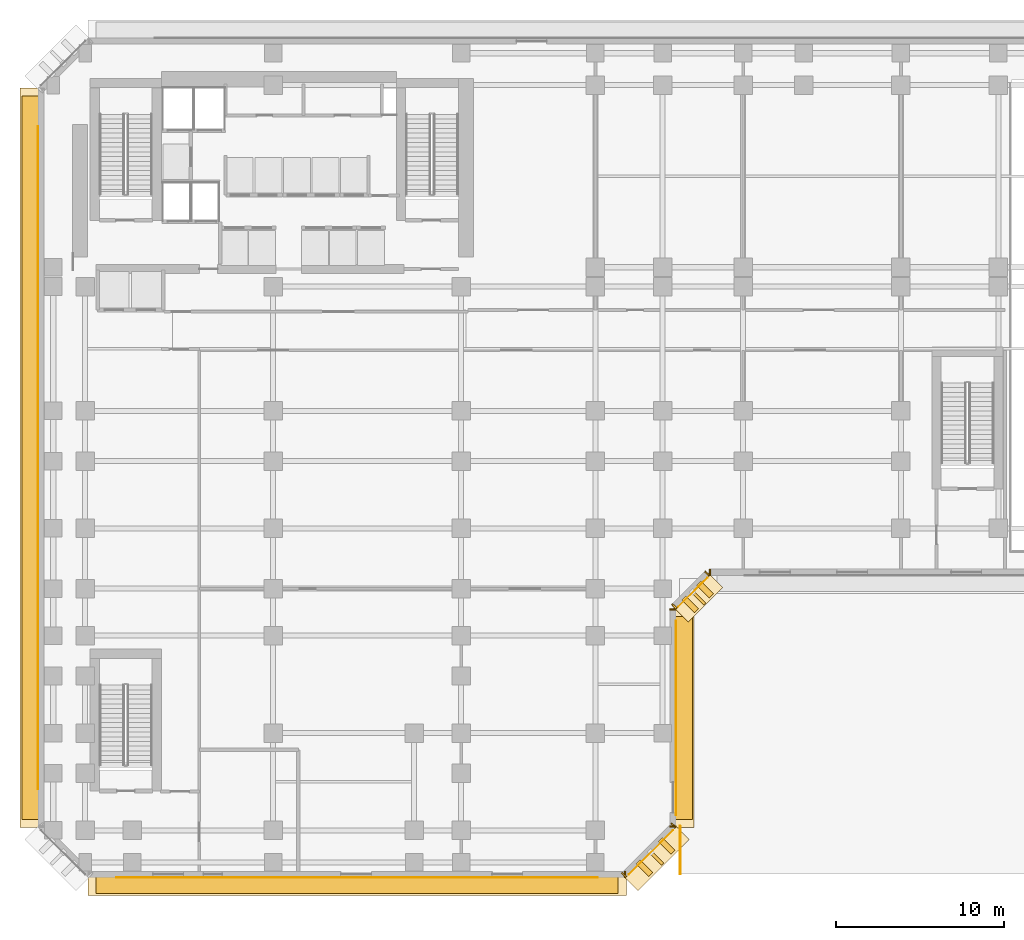
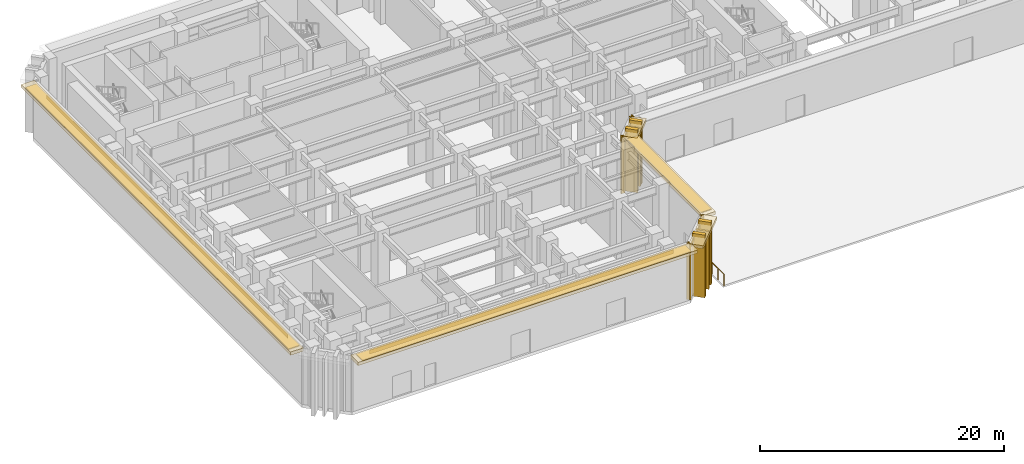
# One storey, part 12 of 18: 22 coverings, 5 shading devices, 1 railing.
"""IFC4 building model written with IfcOpenShell, lengths in metres."""

from ifc_helpers import new_model, si_unit, direction, frame, origin, origin_2d, place, context, subcontext, project, spatial, rectangle, circle, extrude, material, layer, layer_set, material_profile, profile_set, type_object, element, save


model = new_model("IFC4")

# Units and contexts
model_context = context("Model", 3, precision=1e-05, world=origin(), true_north=direction((0.0, 1.0)))
body_context = subcontext(model_context, "Body", "Model", "MODEL_VIEW")
ifc_project = project(units=[si_unit("LENGTHUNIT", "METRE"), si_unit("AREAUNIT", "SQUARE_METRE"), si_unit("VOLUMEUNIT", "CUBIC_METRE"), si_unit("PLANEANGLEUNIT", "RADIAN"), si_unit("MASSUNIT", "GRAM", prefix="KILO")], contexts=[model_context])

# Site, building, storey
site_placement = place(None, origin())
site = spatial("IfcSite", under=ifc_project, at=site_placement, CompositionType="ELEMENT")
building_placement = place(site_placement, origin())
building = spatial("IfcBuilding", under=site, at=building_placement, Name="Kefirva Bronze Tower", CompositionType="ELEMENT")
storey_placement = place(building_placement, origin())
storey = spatial("IfcBuildingStorey", under=building, at=storey_placement, Name="L00", CompositionType="ELEMENT", Elevation=0.0)

# Coverings
ifc_material = material(Name="Bronze anodised aluminium", Category="aluminium")
ifc_layer_1 = layer(ifc_material, 0.02001953125, Name="Bronze anodised aluminium")
ifc_layer_set_1 = layer_set([ifc_layer_1], Name="Bronze anodised aluminium")
covering_type_1 = type_object("IfcCoveringType", Name="Anodised Bronze Spandrel Cladding 20mm", PredefinedType="CLADDING", material=ifc_layer_set_1)
covering_1_placement = place(storey_placement, frame((17.0, -2.010009765625, 5.199951171875), z_axis=(0.0, 0.0, 1.0), x_axis=(1.0, 0.0, 0.0)))
element("IfcCovering", 1, at=covering_1_placement, inside=storey, type_object=covering_type_1, Name="L00 Bronze Spandrel Cladding 1", PredefinedType="CLADDING", context=body_context, shape_type="SweptSolid", body=[
    extrude(rectangle(XDim=28.700927734375, YDim=0.02001953125, at=origin_2d()), origin(), (0.0, 0.0, 1.0), 0.39990234375),
])
covering_2_placement = place(storey_placement, frame((32.965087890625, -1.820068359375, 0.0), z_axis=(0.0, 0.0, 1.0), x_axis=(1.0, 0.0, 0.0)))
element("IfcCovering", 2, at=covering_2_placement, inside=storey, type_object=covering_type_1, Name="L00 Facade Joint Closure Panel 1E", PredefinedType="CLADDING", context=body_context, shape_type="SweptSolid", body=[
    extrude(rectangle(XDim=0.10009765625, YDim=0.360107421875, at=origin_2d()), origin(), (0.0, 0.0, 1.0), 5.6201171875),
])
covering_3_placement = place(storey_placement, frame((34.507080078125, -0.507080078125, 5.199951171875), z_axis=(0.0, 0.0, 1.0), x_axis=(0.707106781187, 0.707106781187, 0.0)))
element("IfcCovering", 3, at=covering_3_placement, inside=storey, type_object=covering_type_1, Name="L00 Bronze Spandrel Cladding 2", PredefinedType="CLADDING", context=body_context, shape_type="SweptSolid", body=[
    extrude(rectangle(XDim=3.719482421875, YDim=0.02001953125, at=origin_2d()), origin(), (0.0, 0.0, 1.0), 0.39990234375),
])
for number, where, z_axis, x_axis, name in (
    (4, (32.8974609375, -1.847900390625, 0.0), (0.0, 0.0, 1.0), (0.707106781187, 0.707106781187, 0.0), "L00 Facade Joint Closure Panel 2S"),
    (5, (35.847900390625, 1.1025390625, 0.0), (0.0, 0.0, 1.0), (0.707106781187, 0.707106781187, 0.0), "L00 Facade Joint Closure Panel 2E"),
):
    element("IfcCovering", number, at=place(storey_placement, frame(where, z_axis=z_axis, x_axis=x_axis)), inside=storey, type_object=covering_type_1, Name=name, PredefinedType="CLADDING", context=body_context, shape_type="SweptSolid", body=[
        extrude(rectangle(XDim=0.10009765625, YDim=0.360107421875, at=origin_2d()), origin(), (0.0, 0.0, 1.0), 5.6201171875),
    ])
covering_4_placement = place(storey_placement, frame((36.010009765625, 7.5, 5.199951171875), z_axis=(0.0, 0.0, 1.0), x_axis=(0.0, 1.0, 0.0)))
element("IfcCovering", 6, at=covering_4_placement, inside=storey, type_object=covering_type_1, Name="L00 Bronze Spandrel Cladding 3", PredefinedType="CLADDING", context=body_context, shape_type="SweptSolid", body=[
    extrude(rectangle(XDim=11.60107421875, YDim=0.02001953125, at=origin_2d()), origin(), (0.0, 0.0, 1.0), 0.39990234375),
])
for number, where, z_axis, x_axis, name in (
    (7, (35.820068359375, 1.034912109375, 0.0), (0.0, 0.0, 1.0), (0.0, 1.0, 0.0), "L00 Facade Joint Closure Panel 3S"),
    (8, (35.820068359375, 13.965087890625, 0.0), (0.0, 0.0, 1.0), (0.0, 1.0, 0.0), "L00 Facade Joint Closure Panel 3E"),
):
    element("IfcCovering", number, at=place(storey_placement, frame(where, z_axis=z_axis, x_axis=x_axis)), inside=storey, type_object=covering_type_1, Name=name, PredefinedType="CLADDING", context=body_context, shape_type="SweptSolid", body=[
        extrude(rectangle(XDim=0.10009765625, YDim=0.360107421875, at=origin_2d()), origin(), (0.0, 0.0, 1.0), 5.6201171875),
    ])
covering_5_placement = place(storey_placement, frame((37.007080078125, 14.992919921875, 5.199951171875), z_axis=(0.0, 0.0, 1.0), x_axis=(0.707106781187, 0.707106781187, 0.0)))
element("IfcCovering", 9, at=covering_5_placement, inside=storey, type_object=covering_type_1, Name="L00 Bronze Spandrel Cladding 4", PredefinedType="CLADDING", context=body_context, shape_type="SweptSolid", body=[
    extrude(rectangle(XDim=2.446533203125, YDim=0.02001953125, at=origin_2d()), origin(), (0.0, 0.0, 1.0), 0.39990234375),
])
for number, where, z_axis, x_axis, name in (
    (10, (35.8974609375, 14.152099609375, 0.0), (0.0, 0.0, 1.0), (0.707106781187, 0.707106781187, 0.0), "L00 Facade Joint Closure Panel 4S"),
    (11, (37.847900390625, 16.1025390625, 0.0), (0.0, 0.0, 1.0), (0.707106781187, 0.707106781187, 0.0), "L00 Facade Joint Closure Panel 4E"),
    (12, (38.034912109375, 16.179931640625, 0.0), (0.0, 0.0, 1.0), (1.0, 0.0, 0.0), "L00 Facade Joint Closure Panel 5S"),
):
    element("IfcCovering", number, at=place(storey_placement, frame(where, z_axis=z_axis, x_axis=x_axis)), inside=storey, type_object=covering_type_1, Name=name, PredefinedType="CLADDING", context=body_context, shape_type="SweptSolid", body=[
        extrude(rectangle(XDim=0.10009765625, YDim=0.360107421875, at=origin_2d()), origin(), (0.0, 0.0, 1.0), 5.6201171875),
    ])
covering_6_placement = place(storey_placement, frame((-2.010009765625, 23.0, 5.199951171875), z_axis=(0.0, 0.0, 1.0), x_axis=(0.0, -1.0, 0.0)))
element("IfcCovering", 13, at=covering_6_placement, inside=storey, type_object=covering_type_1, Name="L00 Bronze Spandrel Cladding 11", PredefinedType="CLADDING", context=body_context, shape_type="SweptSolid", body=[
    extrude(rectangle(XDim=39.5009765625, YDim=0.02001953125, at=origin_2d()), origin(), (0.0, 0.0, 1.0), 0.39990234375),
])

# Shading devices
ifc_material_profile = material_profile(ifc_material, rectangle(XDim=0.179931640625, YDim=1.080078125, at=origin_2d()), Name="BRONZE BUTTRESS FIN 180x1080")
ifc_profile_set = profile_set([ifc_material_profile], Name="Bronze anodised aluminium")
shading_device_type_1 = type_object("IfcShadingDeviceType", Name="Chamfered Corner Buttress Bronze Fin 1080mm", PredefinedType="USERDEFINED", material=ifc_profile_set)
for number, where, z_axis, x_axis, name in (
    (14, (34.8251953125, -0.8251953125, -0.139892578125), (0.0, 0.0, 1.0), (0.707106781187, 0.707106781187, 0.0), "L00 Chamfered Corner Buttress Fin 2"),
    (15, (37.3251953125, 14.6748046875, -0.139892578125), (0.0, 0.0, 1.0), (0.707106781187, 0.707106781187, 0.0), "L00 Chamfered Corner Buttress Fin 4"),
):
    element("IfcShadingDevice", number, at=place(storey_placement, frame(where, z_axis=z_axis, x_axis=x_axis)), inside=storey, type_object=shading_device_type_1, Name=name, ObjectType="VERTICAL FIN", PredefinedType="USERDEFINED", context=body_context, shape_type="SweptSolid", body=[
        extrude(rectangle(XDim=0.179931640625, YDim=1.080078125, at=origin_2d()), origin(), (0.0, 0.0, 1.0), 5.760009765625),
    ])

# Railing
railing_type = type_object("IfcRailingType", Name="Exterior Ship-Deck Terrace Guardrail 1150mm", PredefinedType="GUARDRAIL", material=ifc_material)
railing_placement = place(storey_placement, frame((36.25, -1.800048828125, 0.179931640625)))
element("IfcRailing", 16, at=railing_placement, inside=storey, type_object=railing_type, Name="L00 Forecourt Plaza South Step Guardrail", PredefinedType="GUARDRAIL", context=body_context, shape_type="SweptSolid", body=[
    extrude(circle(Radius=0.02392578125, at=origin_2d()), frame((0.0, 0.0, 1.1259765625), z_axis=(0.0, 1.0, 0.0), x_axis=(-1.0, 0.0, 0.0)), (0.0, 0.0, 1.0), 2.85009765625),
    extrude(circle(Radius=0.02099609375, at=origin_2d()), origin(), (0.0, 0.0, 1.0), 1.101806640625),
    extrude(circle(Radius=0.02099609375, at=origin_2d()), frame((0.0, 0.949951171875, 0.0)), (0.0, 0.0, 1.0), 1.101806640625),
    extrude(circle(Radius=0.02099609375, at=origin_2d()), frame((0.0, 1.900146484375, 0.0)), (0.0, 0.0, 1.0), 1.101806640625),
    extrude(circle(Radius=0.02099609375, at=origin_2d()), frame((0.0, 2.85009765625, 0.0)), (0.0, 0.0, 1.0), 1.101806640625),
])

# Shading devices
ifc_layer_2 = layer(ifc_material, 0.1201171875, Name="Bronze anodised aluminium")
ifc_layer_set_2 = layer_set([ifc_layer_2], Name="Bronze anodised aluminium")
shading_device_type_2 = type_object("IfcShadingDeviceType", Name="Podium Deep Bronze Canopy Sunshade 1050mm", PredefinedType="JALOUSIE", material=ifc_layer_set_2)
shading_device_1_placement = place(storey_placement, frame((17.0, -2.445068359375, 5.51513671875), z_axis=(0.0, 0.0, 1.0), x_axis=(1.0, 0.0, 0.0)))
element("IfcShadingDevice", 17, at=shading_device_1_placement, inside=storey, type_object=shading_device_type_2, Name="L00 Horizontal Bronze Sunshade Band 0", PredefinedType="JALOUSIE", context=body_context, shape_type="SweptSolid", body=[
    extrude(rectangle(XDim=31.090087890625, YDim=1.050048828125, at=origin_2d()), origin(), (0.0, 0.0, 1.0), 0.090087890625),
])
shading_device_2_placement = place(storey_placement, frame((36.445068359375, 7.5, 5.51513671875), z_axis=(0.0, 0.0, 1.0), x_axis=(0.0, 1.0, 0.0)))
element("IfcShadingDevice", 18, at=shading_device_2_placement, inside=storey, type_object=shading_device_type_2, Name="L00 Horizontal Bronze Sunshade Band 2", PredefinedType="JALOUSIE", context=body_context, shape_type="SweptSolid", body=[
    extrude(rectangle(XDim=12.090087890625, YDim=1.050048828125, at=origin_2d()), origin(), (0.0, 0.0, 1.0), 0.090087890625),
])
shading_device_3_placement = place(storey_placement, frame((-2.445068359375, 23.0, 5.51513671875), z_axis=(0.0, 0.0, 1.0), x_axis=(0.0, -1.0, 0.0)))
element("IfcShadingDevice", 19, at=shading_device_3_placement, inside=storey, type_object=shading_device_type_2, Name="L00 Horizontal Bronze Sunshade Band 10", PredefinedType="JALOUSIE", context=body_context, shape_type="SweptSolid", body=[
    extrude(rectangle(XDim=43.090087890625, YDim=1.050048828125, at=origin_2d()), origin(), (0.0, 0.0, 1.0), 0.090087890625),
])

# Coverings
ifc_layer_3 = layer(ifc_material, 0.179931640625, Name="Bronze anodised aluminium")
ifc_layer_set_3 = layer_set([ifc_layer_3], Name="Bronze anodised aluminium")
covering_type_2 = type_object("IfcCoveringType", Name="Streamline Bronze Sunshade Eyebrow Cladding 180mm", PredefinedType="CLADDING", material=ifc_layer_set_3)
covering_7_placement = place(storey_placement, frame((17.0, -2.4599609375, 5.2998046875), z_axis=(0.0, 0.0, 1.0), x_axis=(1.0, 0.0, 0.0)))
element("IfcCovering", 20, at=covering_7_placement, inside=storey, type_object=covering_type_2, Name="L00 Streamline Bronze Sunshade Eyebrow 0", PredefinedType="CLADDING", context=body_context, shape_type="SweptSolid", body=[
    extrude(rectangle(XDim=32.080078125, YDim=1.239990234375, at=origin_2d()), origin(), (0.0, 0.0, 1.0), 0.320068359375),
])
covering_8_placement = place(storey_placement, frame((34.8251953125, -0.8251953125, 5.2998046875), z_axis=(0.0, 0.0, 1.0), x_axis=(0.707106781187, 0.707106781187, 0.0)))
element("IfcCovering", 21, at=covering_8_placement, inside=storey, type_object=covering_type_2, Name="L00 Streamline Bronze Sunshade Eyebrow 1", PredefinedType="CLADDING", context=body_context, shape_type="SweptSolid", body=[
    extrude(rectangle(XDim=4.322509765625, YDim=1.239990234375, at=origin_2d()), origin(), (0.0, 0.0, 1.0), 0.320068359375),
])
covering_9_placement = place(storey_placement, frame((36.4599609375, 7.5, 5.2998046875), z_axis=(0.0, 0.0, 1.0), x_axis=(0.0, 1.0, 0.0)))
element("IfcCovering", 22, at=covering_9_placement, inside=storey, type_object=covering_type_2, Name="L00 Streamline Bronze Sunshade Eyebrow 2", PredefinedType="CLADDING", context=body_context, shape_type="SweptSolid", body=[
    extrude(rectangle(XDim=13.080078125, YDim=1.239990234375, at=origin_2d()), origin(), (0.0, 0.0, 1.0), 0.320068359375),
])
covering_10_placement = place(storey_placement, frame((37.3251953125, 14.6748046875, 5.2998046875), z_axis=(0.0, 0.0, 1.0), x_axis=(0.707106781187, 0.707106781187, 0.0)))
element("IfcCovering", 23, at=covering_10_placement, inside=storey, type_object=covering_type_2, Name="L00 Streamline Bronze Sunshade Eyebrow 3", PredefinedType="CLADDING", context=body_context, shape_type="SweptSolid", body=[
    extrude(rectangle(XDim=2.908447265625, YDim=1.239990234375, at=origin_2d()), origin(), (0.0, 0.0, 1.0), 0.320068359375),
])
covering_11_placement = place(storey_placement, frame((-2.4599609375, 23.0, 5.2998046875), z_axis=(0.0, 0.0, 1.0), x_axis=(0.0, -1.0, 0.0)))
element("IfcCovering", 24, at=covering_11_placement, inside=storey, type_object=covering_type_2, Name="L00 Streamline Bronze Sunshade Eyebrow 10", PredefinedType="CLADDING", context=body_context, shape_type="SweptSolid", body=[
    extrude(rectangle(XDim=44.080078125, YDim=1.239990234375, at=origin_2d()), origin(), (0.0, 0.0, 1.0), 0.320068359375),
])
ifc_layer_4 = layer(ifc_material, 0.260009765625, Name="Bronze anodised aluminium")
ifc_layer_set_4 = layer_set([ifc_layer_4], Name="Bronze anodised aluminium")
covering_type_3 = type_object("IfcCoveringType", Name="Unbroken Bronze Buttress Fin Cladding 260mm", PredefinedType="CLADDING", material=ifc_layer_set_4)
for number, where, z_axis, x_axis, name in (
    (25, (34.122802734375, -1.44287109375, -0.31982421875), (0.0, 0.0, 1.0), (0.707106781187, 0.707106781187, 0.0), "L00 Chamfered Corner Buttress Fin Cladding 1"),
    (26, (35.44287109375, -0.122802734375, -0.31982421875), (0.0, 0.0, 1.0), (0.707106781187, 0.707106781187, 0.0), "L00 Chamfered Corner Buttress Fin Cladding 2"),
    (27, (36.8427734375, 14.277099609375, -0.31982421875), (0.0, 0.0, 1.0), (0.707106781187, 0.707106781187, 0.0), "L00 Chamfered Corner Buttress Fin Cladding 3"),
    (28, (37.722900390625, 15.1572265625, -0.31982421875), (0.0, 0.0, 1.0), (0.707106781187, 0.707106781187, 0.0), "L00 Chamfered Corner Buttress Fin Cladding 4"),
):
    element("IfcCovering", number, at=place(storey_placement, frame(where, z_axis=z_axis, x_axis=x_axis)), inside=storey, type_object=covering_type_3, Name=name, PredefinedType="CLADDING", context=body_context, shape_type="SweptSolid", body=[
        extrude(rectangle(XDim=0.340087890625, YDim=1.080078125, at=origin_2d()), origin(), (0.0, 0.0, 1.0), 6.260009765625),
    ])

save(model, "model.ifc")
